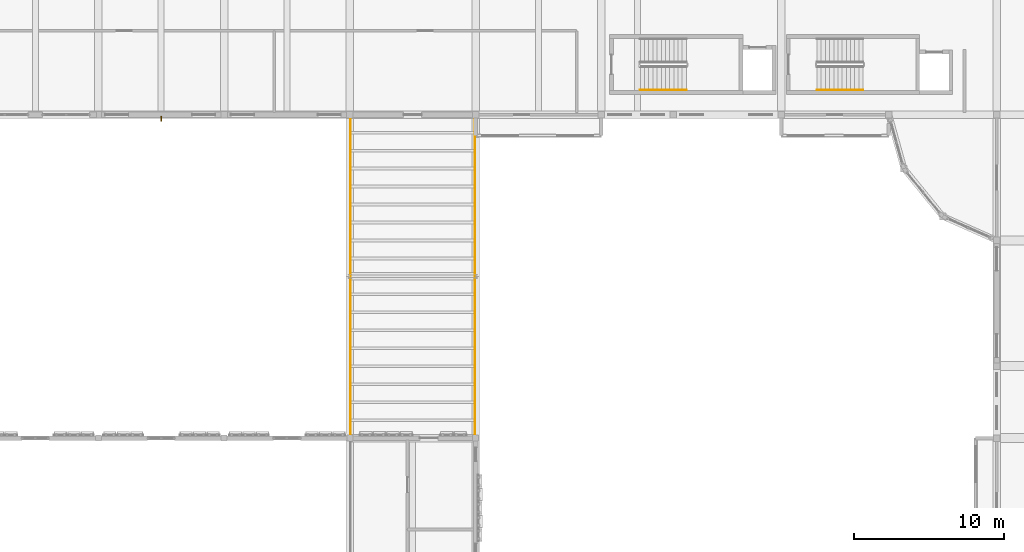
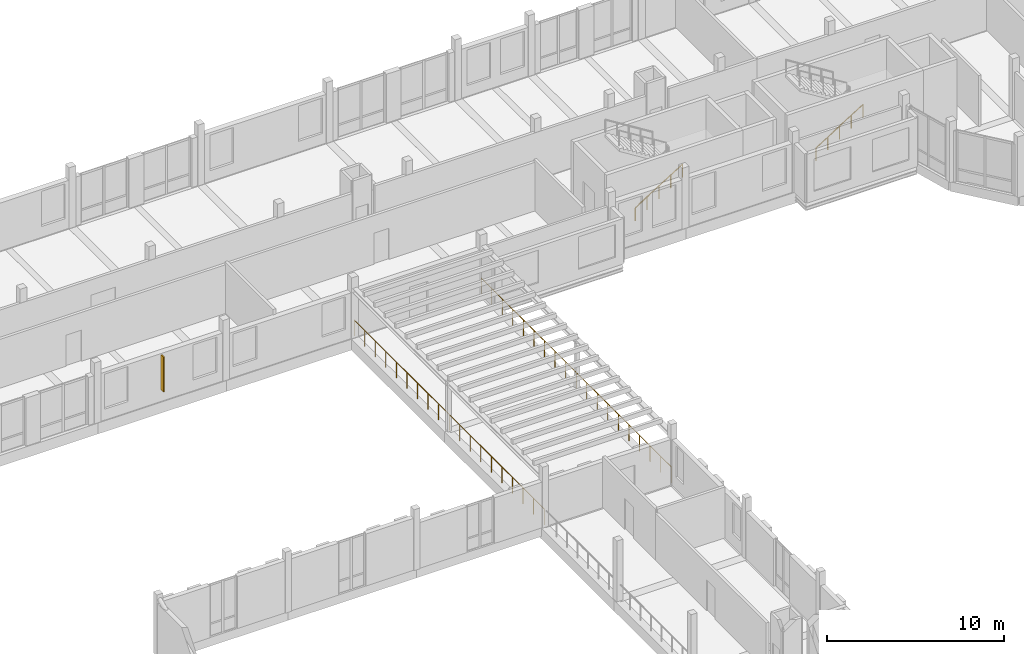
# One storey, part 96 of 99: 4 railings, 1 shading device.
"""IFC4 building model written with IfcOpenShell, lengths in metres."""

from ifc_helpers import new_model, si_unit, direction, frame, origin, origin_2d, place, context, subcontext, project, spatial, rectangle, circle, extrude, material, type_object, element, save


model = new_model("IFC4")

# Units and contexts
model_context = context("Model", 3, precision=1e-05, world=origin(), true_north=direction((0.0, 1.0)))
body_context = subcontext(model_context, "Body", "Model", "MODEL_VIEW")
ifc_project = project(units=[si_unit("LENGTHUNIT", "METRE"), si_unit("AREAUNIT", "SQUARE_METRE"), si_unit("VOLUMEUNIT", "CUBIC_METRE"), si_unit("PLANEANGLEUNIT", "RADIAN"), si_unit("MASSUNIT", "GRAM", prefix="KILO")], contexts=[model_context])

# Site, building, storey
site_placement = place(None, origin())
site = spatial("IfcSite", under=ifc_project, at=site_placement, CompositionType="ELEMENT")
building_placement = place(site_placement, origin())
building = spatial("IfcBuilding", under=site, at=building_placement, Name="Kahlenmark Community Centre", CompositionType="ELEMENT")
storey_placement = place(building_placement, frame((0.0, 0.0, 5.39990234375)))
storey = spatial("IfcBuildingStorey", under=building, at=storey_placement, Name="L01", CompositionType="ELEMENT", Elevation=5.39990234375)

# Railings
ifc_material_1 = material(Name="Powder-coated galvanized steel balustrade", Category="steel")
railing_type_1 = type_object("IfcRailingType", Name="RLT-BAL-1120", PredefinedType="BALUSTRADE", material=ifc_material_1)
railing_1_placement = place(storey_placement, frame((29.25, 76.050048828125, 0.0)))
element("IfcRailing", 1, at=railing_1_placement, inside=storey, type_object=railing_type_1, Name="Balustrade guard L01-010", PredefinedType="BALUSTRADE", context=body_context, shape_type="SweptSolid", body=[
    extrude(circle(Radius=0.02392578125, at=origin_2d()), frame((0.0, 0.0, 1.09619140625), z_axis=(0.0, 1.0, 0.0), x_axis=(-1.0, 0.0, 0.0)), (0.0, 0.0, 1.0), 21.5),
    extrude(circle(Radius=0.02099609375, at=origin_2d()), origin(), (0.0, 0.0, 1.0), 1.072021484375),
    extrude(circle(Radius=0.02099609375, at=origin_2d()), frame((0.0, 1.1943359375, 0.0)), (0.0, 0.0, 1.0), 1.072021484375),
    extrude(circle(Radius=0.02099609375, at=origin_2d()), frame((0.0, 2.388916015625, 0.0)), (0.0, 0.0, 1.0), 1.072021484375),
    extrude(circle(Radius=0.02099609375, at=origin_2d()), frame((0.0, 3.583251953125, 0.0)), (0.0, 0.0, 1.0), 1.072021484375),
    extrude(circle(Radius=0.02099609375, at=origin_2d()), frame((0.0, 4.77783203125, 0.0)), (0.0, 0.0, 1.0), 1.072021484375),
    extrude(circle(Radius=0.02099609375, at=origin_2d()), frame((0.0, 5.97216796875, 0.0)), (0.0, 0.0, 1.0), 1.072021484375),
    extrude(circle(Radius=0.02099609375, at=origin_2d()), frame((0.0, 7.166748046875, 0.0)), (0.0, 0.0, 1.0), 1.072021484375),
    extrude(circle(Radius=0.02099609375, at=origin_2d()), frame((0.0, 8.361083984375, 0.0)), (0.0, 0.0, 1.0), 1.072021484375),
    extrude(circle(Radius=0.02099609375, at=origin_2d()), frame((0.0, 9.5556640625, 0.0)), (0.0, 0.0, 1.0), 1.072021484375),
    extrude(circle(Radius=0.02099609375, at=origin_2d()), frame((0.0, 10.75, 0.0)), (0.0, 0.0, 1.0), 1.072021484375),
    extrude(circle(Radius=0.02099609375, at=origin_2d()), frame((0.0, 11.9443359375, 0.0)), (0.0, 0.0, 1.0), 1.072021484375),
    extrude(circle(Radius=0.02099609375, at=origin_2d()), frame((0.0, 13.138916015625, 0.0)), (0.0, 0.0, 1.0), 1.072021484375),
    extrude(circle(Radius=0.02099609375, at=origin_2d()), frame((0.0, 14.333251953125, 0.0)), (0.0, 0.0, 1.0), 1.072021484375),
    extrude(circle(Radius=0.02099609375, at=origin_2d()), frame((0.0, 15.52783203125, 0.0)), (0.0, 0.0, 1.0), 1.072021484375),
    extrude(circle(Radius=0.02099609375, at=origin_2d()), frame((0.0, 16.72216796875, 0.0)), (0.0, 0.0, 1.0), 1.072021484375),
    extrude(circle(Radius=0.02099609375, at=origin_2d()), frame((0.0, 17.916748046875, 0.0)), (0.0, 0.0, 1.0), 1.072021484375),
    extrude(circle(Radius=0.02099609375, at=origin_2d()), frame((0.0, 19.111083984375, 0.0)), (0.0, 0.0, 1.0), 1.072021484375),
    extrude(circle(Radius=0.02099609375, at=origin_2d()), frame((0.0, 20.3056640625, 0.0)), (0.0, 0.0, 1.0), 1.072021484375),
    extrude(circle(Radius=0.02099609375, at=origin_2d()), frame((0.0, 21.5, 0.0)), (0.0, 0.0, 1.0), 1.072021484375),
])
railing_2_placement = place(storey_placement, frame((37.550048828125, 76.050048828125, 0.0)))
element("IfcRailing", 2, at=railing_2_placement, inside=storey, type_object=railing_type_1, Name="Balustrade guard L01-011", PredefinedType="BALUSTRADE", context=body_context, shape_type="SweptSolid", body=[
    extrude(circle(Radius=0.02392578125, at=origin_2d()), frame((0.0, 0.0, 1.09619140625), z_axis=(0.0, 1.0, 0.0), x_axis=(-1.0, 0.0, 0.0)), (0.0, 0.0, 1.0), 21.5),
    extrude(circle(Radius=0.02099609375, at=origin_2d()), origin(), (0.0, 0.0, 1.0), 1.072021484375),
    extrude(circle(Radius=0.02099609375, at=origin_2d()), frame((0.0, 1.1943359375, 0.0)), (0.0, 0.0, 1.0), 1.072021484375),
    extrude(circle(Radius=0.02099609375, at=origin_2d()), frame((0.0, 2.388916015625, 0.0)), (0.0, 0.0, 1.0), 1.072021484375),
    extrude(circle(Radius=0.02099609375, at=origin_2d()), frame((0.0, 3.583251953125, 0.0)), (0.0, 0.0, 1.0), 1.072021484375),
    extrude(circle(Radius=0.02099609375, at=origin_2d()), frame((0.0, 4.77783203125, 0.0)), (0.0, 0.0, 1.0), 1.072021484375),
    extrude(circle(Radius=0.02099609375, at=origin_2d()), frame((0.0, 5.97216796875, 0.0)), (0.0, 0.0, 1.0), 1.072021484375),
    extrude(circle(Radius=0.02099609375, at=origin_2d()), frame((0.0, 7.166748046875, 0.0)), (0.0, 0.0, 1.0), 1.072021484375),
    extrude(circle(Radius=0.02099609375, at=origin_2d()), frame((0.0, 8.361083984375, 0.0)), (0.0, 0.0, 1.0), 1.072021484375),
    extrude(circle(Radius=0.02099609375, at=origin_2d()), frame((0.0, 9.5556640625, 0.0)), (0.0, 0.0, 1.0), 1.072021484375),
    extrude(circle(Radius=0.02099609375, at=origin_2d()), frame((0.0, 10.75, 0.0)), (0.0, 0.0, 1.0), 1.072021484375),
    extrude(circle(Radius=0.02099609375, at=origin_2d()), frame((0.0, 11.9443359375, 0.0)), (0.0, 0.0, 1.0), 1.072021484375),
    extrude(circle(Radius=0.02099609375, at=origin_2d()), frame((0.0, 13.138916015625, 0.0)), (0.0, 0.0, 1.0), 1.072021484375),
    extrude(circle(Radius=0.02099609375, at=origin_2d()), frame((0.0, 14.333251953125, 0.0)), (0.0, 0.0, 1.0), 1.072021484375),
    extrude(circle(Radius=0.02099609375, at=origin_2d()), frame((0.0, 15.52783203125, 0.0)), (0.0, 0.0, 1.0), 1.072021484375),
    extrude(circle(Radius=0.02099609375, at=origin_2d()), frame((0.0, 16.72216796875, 0.0)), (0.0, 0.0, 1.0), 1.072021484375),
    extrude(circle(Radius=0.02099609375, at=origin_2d()), frame((0.0, 17.916748046875, 0.0)), (0.0, 0.0, 1.0), 1.072021484375),
    extrude(circle(Radius=0.02099609375, at=origin_2d()), frame((0.0, 19.111083984375, 0.0)), (0.0, 0.0, 1.0), 1.072021484375),
    extrude(circle(Radius=0.02099609375, at=origin_2d()), frame((0.0, 20.3056640625, 0.0)), (0.0, 0.0, 1.0), 1.072021484375),
    extrude(circle(Radius=0.02099609375, at=origin_2d()), frame((0.0, 21.5, 0.0)), (0.0, 0.0, 1.0), 1.072021484375),
])
ifc_material_2 = material(Name="Brushed stainless steel 1.4301 handrail", Category="steel")
railing_type_2 = type_object("IfcRailingType", Name="RLT-HR-900", PredefinedType="HANDRAIL", material=ifc_material_2)
railing_3_placement = place(storey_placement, frame((48.60009765625, 99.25, 0.175048828125)))
element("IfcRailing", 3, at=railing_3_placement, inside=storey, type_object=railing_type_2, Name="L01 ST-04 stair handrail 1", PredefinedType="HANDRAIL", context=body_context, shape_type="SweptSolid", body=[
    extrude(circle(Radius=0.02392578125, at=origin_2d()), frame((0.0, 0.0, 0.8759765625), z_axis=(0.847979421464, 0.0, 0.530029150871), x_axis=(0.0, 1.0, 0.0)), (0.0, 0.0, 1.0), 3.632080078125),
    extrude(circle(Radius=0.02099609375, at=origin_2d()), origin(), (0.0, 0.0, 1.0), 0.851806640625),
    extrude(circle(Radius=0.02099609375, at=origin_2d()), frame((0.77001953125, 0.0, 0.481201171875)), (0.0, 0.0, 1.0), 0.851806640625),
    extrude(circle(Radius=0.02099609375, at=origin_2d()), frame((1.5400390625, 0.0, 0.96240234375)), (0.0, 0.0, 1.0), 0.851806640625),
    extrude(circle(Radius=0.02099609375, at=origin_2d()), frame((2.309814453125, 0.0, 1.44384765625)), (0.0, 0.0, 1.0), 0.851806640625),
    extrude(circle(Radius=0.02099609375, at=origin_2d()), frame((3.079833984375, 0.0, 1.925048828125)), (0.0, 0.0, 1.0), 0.851806640625),
])
railing_4_placement = place(storey_placement, frame((60.39990234375, 99.25, 0.175048828125)))
element("IfcRailing", 4, at=railing_4_placement, inside=storey, type_object=railing_type_2, Name="L01 ST-05 stair handrail 1", PredefinedType="HANDRAIL", context=body_context, shape_type="SweptSolid", body=[
    extrude(circle(Radius=0.02392578125, at=origin_2d()), frame((0.0, 0.0, 0.8759765625), z_axis=(0.847998304005, 0.0, 0.529998940003), x_axis=(0.0, 1.0, 0.0)), (0.0, 0.0, 1.0), 3.632080078125),
    extrude(circle(Radius=0.02099609375, at=origin_2d()), origin(), (0.0, 0.0, 1.0), 0.851806640625),
    extrude(circle(Radius=0.02099609375, at=origin_2d()), frame((0.77001953125, 0.0, 0.481201171875)), (0.0, 0.0, 1.0), 0.851806640625),
    extrude(circle(Radius=0.02099609375, at=origin_2d()), frame((1.5400390625, 0.0, 0.96240234375)), (0.0, 0.0, 1.0), 0.851806640625),
    extrude(circle(Radius=0.02099609375, at=origin_2d()), frame((2.31005859375, 0.0, 1.44384765625)), (0.0, 0.0, 1.0), 0.851806640625),
    extrude(circle(Radius=0.02099609375, at=origin_2d()), frame((3.080078125, 0.0, 1.925048828125)), (0.0, 0.0, 1.0), 0.851806640625),
])

# Shading device
ifc_material_3 = material(Name="Extruded warm terracotta solar fin", Category="masonry")
shading_device_type = type_object("IfcShadingDeviceType", Name="SDT-FIN-320", PredefinedType="NOTDEFINED", material=ifc_material_3)
shading_device_placement = place(storey_placement, frame((16.60009765625, 97.320068359375, 0.800048828125), z_axis=(0.0, 0.0, 1.0), x_axis=(1.0, 0.0, 0.0)))
element("IfcShadingDevice", 5, at=shading_device_placement, inside=storey, type_object=shading_device_type, Name="Terracotta solar fin 0001", PredefinedType="NOTDEFINED", context=body_context, shape_type="SweptSolid", body=[
    extrude(rectangle(XDim=0.080078125, YDim=0.320068359375, at=origin_2d()), origin(), (0.0, 0.0, 1.0), 2.39990234375),
])

save(model, "model.ifc")
